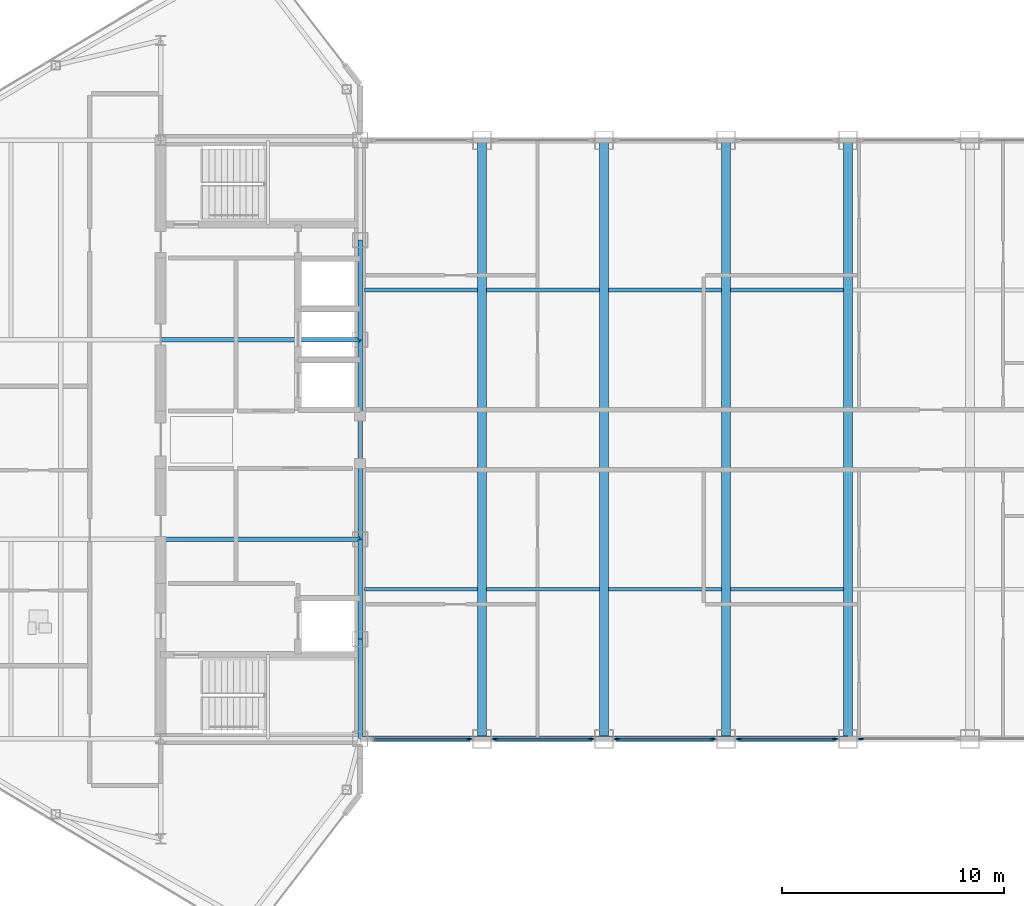
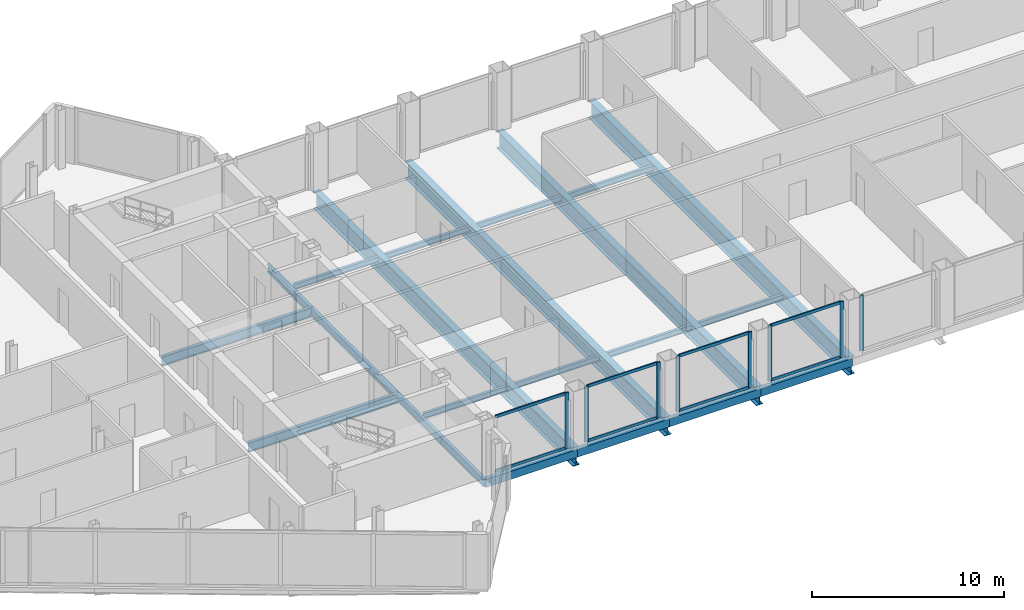
# One storey, part 10 of 29: 22 beams, 16 members, 5 elements without a shape of their own.
"""IFC4 building model written with IfcOpenShell, lengths in metres."""

from ifc_helpers import new_model, si_unit, direction, frame, origin, origin_2d, place, context, subcontext, project, spatial, rectangle, hollow_rectangle, i_section, extrude, source, transform, mapped, material, layer, layer_set, material_profile, profile_set, type_object, type_shapes, element, aggregate, save


model = new_model("IFC4")

# Units and contexts
model_context = context("Model", 3, precision=1e-05, world=origin(), true_north=direction((0.0, 1.0)))
body_context = subcontext(model_context, "Body", "Model", "MODEL_VIEW")
ifc_project = project(units=[si_unit("LENGTHUNIT", "METRE"), si_unit("AREAUNIT", "SQUARE_METRE"), si_unit("VOLUMEUNIT", "CUBIC_METRE"), si_unit("PLANEANGLEUNIT", "RADIAN"), si_unit("MASSUNIT", "GRAM", prefix="KILO")], contexts=[model_context])

# Site, building, storey
site_placement = place(None, origin())
site = spatial("IfcSite", under=ifc_project, at=site_placement, CompositionType="ELEMENT")
building_placement = place(site_placement, origin())
building = spatial("IfcBuilding", under=site, at=building_placement, Name="Seokmaru Belvedere", CompositionType="ELEMENT")
storey_placement = place(building_placement, frame((0.0, 0.0, 246.89990234375)))
storey = spatial("IfcBuildingStorey", under=building, at=storey_placement, Name="L65", CompositionType="ELEMENT", Elevation=246.89990234375)

# Beams
ifc_material_1 = material(Name="Steel SM355 (355 MPa)", Category="steel")
ifc_material_profile_1 = material_profile(ifc_material_1, i_section(OverallWidth=0.199951171875, OverallDepth=0.5, WebThickness=0.010009765625, FlangeThickness=0.01611328125, at=origin_2d()), Name="H-500x200x10x16")
ifc_profile_set_1 = profile_set([ifc_material_profile_1], Name="Steel SM355 (355 MPa)")
beam_type_1 = type_object("IfcBeamType", Name="Perimeter Spandrel Beam H-500", PredefinedType="SPANDREL", material=ifc_profile_set_1)
shared_shape_1 = source(origin(), body_context, "Body", "SweptSolid", [
    extrude(i_section(OverallWidth=0.199951171875, OverallDepth=0.5, WebThickness=0.010009765625, FlangeThickness=0.01611328125, at=origin_2d()), origin(), (0.0, 0.0, 1.0), 4.5),
])
for number, where, z_axis, x_axis, name in (
    (1, (-27.5, -13.5, -0.469970703125), (0.0, 1.0, 0.0), (-1.0, 0.0, 0.0), "L65 W Portal Spine Spandrel 1"),
    (2, (-27.5, -9.0, -0.469970703125), (0.0, 1.0, 0.0), (-1.0, 0.0, 0.0), "L65 W Portal Spine Spandrel 2"),
    (3, (-27.5, 4.5, -0.469970703125), (0.0, 1.0, 0.0), (-1.0, 0.0, 0.0), "L65 W Portal Spine Spandrel 4"),
):
    element("IfcBeam", number, at=place(storey_placement, frame(where, z_axis=z_axis, x_axis=x_axis)), inside=storey, type_object=beam_type_1, Name=name, PredefinedType="SPANDREL", context=body_context, shape_type="MappedRepresentation", body=[
        mapped(shared_shape_1, transform((0.0, 0.0, 0.0), scale=1.0)),
    ])
shared_shape_2 = source(origin(), body_context, "Body", "SweptSolid", [
    extrude(i_section(OverallWidth=0.199951171875, OverallDepth=0.5, WebThickness=0.010009765625, FlangeThickness=0.01611328125, at=origin_2d()), origin(), (0.0, 0.0, 1.0), 9.0),
])
type_shapes(beam_type_1, [shared_shape_1, shared_shape_2])
beam_placement = place(storey_placement, frame((-27.5, -4.5, -0.469970703125), z_axis=(0.0, 1.0, 0.0), x_axis=(-1.0, 0.0, 0.0)))
element("IfcBeam", 4, at=beam_placement, inside=storey, type_object=beam_type_1, Name="L65 W Portal Spine Spandrel 3", PredefinedType="SPANDREL", context=body_context, shape_type="MappedRepresentation", body=[
    mapped(shared_shape_2, transform((0.0, 0.0, 0.0), scale=1.0)),
])
ifc_material_profile_2 = material_profile(ifc_material_1, i_section(OverallWidth=0.199951171875, OverallDepth=0.60009765625, WebThickness=0.010986328125, FlangeThickness=0.01708984375, at=origin_2d()), Name="H-600x200x11x17")
ifc_profile_set_2 = profile_set([ifc_material_profile_2], Name="Steel SM355 (355 MPa)")
beam_type_2 = type_object("IfcBeamType", Name="Primary Floor Girder H-600", PredefinedType="BEAM", material=ifc_profile_set_2)
shared_shape_3 = source(origin(), body_context, "Body", "SweptSolid", [
    extrude(i_section(OverallWidth=0.199951171875, OverallDepth=0.60009765625, WebThickness=0.010986328125, FlangeThickness=0.01708984375, at=origin_2d()), origin(), (0.0, 0.0, 1.0), 9.0),
])
type_shapes(beam_type_2, [shared_shape_3])
for number, where, z_axis, x_axis, name in (
    (5, (-36.5, -4.5, -0.52001953125), (1.0, 0.0, 0.0), (0.0, 1.0, 0.0), "L65 W Core Tie Girder 2"),
    (6, (-36.5, 4.5, -0.52001953125), (1.0, 0.0, 0.0), (0.0, 1.0, 0.0), "L65 W Core Tie Girder 3"),
):
    element("IfcBeam", number, at=place(storey_placement, frame(where, z_axis=z_axis, x_axis=x_axis)), inside=storey, type_object=beam_type_2, Name=name, PredefinedType="BEAM", context=body_context, shape_type="MappedRepresentation", body=[
        mapped(shared_shape_3, transform((0.0, 0.0, 0.0), scale=1.0)),
    ])
ifc_material_profile_3 = material_profile(ifc_material_1, i_section(OverallWidth=0.39990234375, OverallDepth=1.10009765625, WebThickness=0.02001953125, FlangeThickness=0.033935546875, at=origin_2d()), Name="BH-1100x400x20x34")
ifc_profile_set_3 = profile_set([ifc_material_profile_3], Name="Steel SM355 (355 MPa)")
beam_type_3 = type_object("IfcBeamType", Name="Sky-Gate Transverse Girder BH-1100", PredefinedType="BEAM", material=ifc_profile_set_3)
shared_shape_4 = source(origin(), body_context, "Body", "SweptSolid", [
    extrude(i_section(OverallWidth=0.39990234375, OverallDepth=1.10009765625, WebThickness=0.02001953125, FlangeThickness=0.033935546875, at=origin_2d()), origin(), (0.0, 0.0, 1.0), 27.0),
])
type_shapes(beam_type_3, [shared_shape_4])
for number, where, z_axis, x_axis, name in (
    (7, (-22.0, -13.5, -0.77001953125), (0.0, 1.0, 0.0), (-1.0, 0.0, 0.0), "L65 Sky-Gate Transverse Girder 01"),
    (8, (-16.5, -13.5, -0.77001953125), (0.0, 1.0, 0.0), (-1.0, 0.0, 0.0), "L65 Sky-Gate Transverse Girder 02"),
    (9, (-11.0, -13.5, -0.77001953125), (0.0, 1.0, 0.0), (-1.0, 0.0, 0.0), "L65 Sky-Gate Transverse Girder 03"),
    (10, (-5.5, -13.5, -0.77001953125), (0.0, 1.0, 0.0), (-1.0, 0.0, 0.0), "L65 Sky-Gate Transverse Girder 04"),
):
    element("IfcBeam", number, at=place(storey_placement, frame(where, z_axis=z_axis, x_axis=x_axis)), inside=storey, type_object=beam_type_3, Name=name, PredefinedType="BEAM", context=body_context, shape_type="MappedRepresentation", body=[
        mapped(shared_shape_4, transform((0.0, 0.0, 0.0), scale=1.0)),
    ])
ifc_material_profile_4 = material_profile(ifc_material_1, i_section(OverallWidth=0.175048828125, OverallDepth=0.35009765625, WebThickness=0.007080078125, FlangeThickness=0.010986328125, at=origin_2d()), Name="H-350x175x7x11")
ifc_profile_set_4 = profile_set([ifc_material_profile_4], Name="Steel SM355 (355 MPa)")
beam_type_4 = type_object("IfcBeamType", Name="Secondary Floor Joist H-300", PredefinedType="JOIST", material=ifc_profile_set_4)
shared_shape_5 = source(origin(), body_context, "Body", "SweptSolid", [
    extrude(i_section(OverallWidth=0.175048828125, OverallDepth=0.35009765625, WebThickness=0.007080078125, FlangeThickness=0.010986328125, at=origin_2d()), origin(), (0.0, 0.0, 1.0), 5.08984375),
])
type_shapes(beam_type_4, [shared_shape_5])
for number, where, z_axis, x_axis, name in (
    (11, (-27.294921875, -6.75, -0.39501953125), (1.0, 0.0, 0.0), (0.0, 1.0, 0.0), "L65 Sky-Gate Secondary Joist S-01"),
    (12, (-21.794921875, -6.75, -0.39501953125), (1.0, 0.0, 0.0), (0.0, 1.0, 0.0), "L65 Sky-Gate Secondary Joist S-02"),
    (13, (-16.294921875, -6.75, -0.39501953125), (1.0, 0.0, 0.0), (0.0, 1.0, 0.0), "L65 Sky-Gate Secondary Joist S-03"),
    (14, (-10.794921875, -6.75, -0.39501953125), (1.0, 0.0, 0.0), (0.0, 1.0, 0.0), "L65 Sky-Gate Secondary Joist S-04"),
    (15, (-27.294921875, 6.75, -0.39501953125), (1.0, 0.0, 0.0), (0.0, 1.0, 0.0), "L65 Sky-Gate Secondary Joist N-01"),
    (16, (-21.794921875, 6.75, -0.39501953125), (1.0, 0.0, 0.0), (0.0, 1.0, 0.0), "L65 Sky-Gate Secondary Joist N-02"),
    (17, (-16.294921875, 6.75, -0.39501953125), (1.0, 0.0, 0.0), (0.0, 1.0, 0.0), "L65 Sky-Gate Secondary Joist N-03"),
    (18, (-10.794921875, 6.75, -0.39501953125), (1.0, 0.0, 0.0), (0.0, 1.0, 0.0), "L65 Sky-Gate Secondary Joist N-04"),
):
    element("IfcBeam", number, at=place(storey_placement, frame(where, z_axis=z_axis, x_axis=x_axis)), inside=storey, type_object=beam_type_4, Name=name, PredefinedType="JOIST", context=body_context, shape_type="MappedRepresentation", body=[
        mapped(shared_shape_5, transform((0.0, 0.0, 0.0), scale=1.0)),
    ])
ifc_material_profile_5 = material_profile(ifc_material_1, hollow_rectangle(XDim=0.25, YDim=0.5, WallThickness=0.013916015625, at=origin_2d()), Name="RHS-500x250x14")
ifc_profile_set_5 = profile_set([ifc_material_profile_5], Name="Steel SM355 (355 MPa)")
beam_type_5 = type_object("IfcBeamType", Name="Bridge Edge Spandrel RHS-500", PredefinedType="SPANDREL", material=ifc_profile_set_5)
shared_shape_6 = source(origin(), body_context, "Body", "SweptSolid", [
    extrude(hollow_rectangle(XDim=0.25, YDim=0.5, WallThickness=0.013916015625, at=origin_2d()), origin(), (0.0, 0.0, 1.0), 5.5),
])
type_shapes(beam_type_5, [shared_shape_6])
for number, where, z_axis, x_axis, name in (
    (19, (-27.5, -13.5, -0.469970703125), (1.0, 0.0, 0.0), (0.0, 1.0, 0.0), "L65 Sky-Gate Bridge Edge Girder S-01"),
    (20, (-22.0, -13.5, -0.469970703125), (1.0, 0.0, 0.0), (0.0, 1.0, 0.0), "L65 Sky-Gate Bridge Edge Girder S-02"),
    (21, (-16.5, -13.5, -0.469970703125), (1.0, 0.0, 0.0), (0.0, 1.0, 0.0), "L65 Sky-Gate Bridge Edge Girder S-03"),
    (22, (-11.0, -13.5, -0.469970703125), (1.0, 0.0, 0.0), (0.0, 1.0, 0.0), "L65 Sky-Gate Bridge Edge Girder S-04"),
):
    element("IfcBeam", number, at=place(storey_placement, frame(where, z_axis=z_axis, x_axis=x_axis)), inside=storey, type_object=beam_type_5, Name=name, PredefinedType="SPANDREL", context=body_context, shape_type="MappedRepresentation", body=[
        mapped(shared_shape_6, transform((0.0, 0.0, 0.0), scale=1.0)),
    ])

# Curtain wall, members
ifc_material_2 = material(Name="Bronze Triple Insulating Glass", Category="glass")
ifc_layer = layer(ifc_material_2, 0.219970703125)
ifc_layer_set = layer_set([ifc_layer], Name="Bronze Triple Insulating Glass")
curtain_wall_type = type_object("IfcCurtainWallType", Name="Sky-Gate Bridge Panorama Curtain Wall System CW-6", PredefinedType="NOTDEFINED", material=ifc_layer_set)
curtain_wall_1_placement = place(storey_placement, origin())
curtain_wall_1 = element("IfcCurtainWall", 23, at=curtain_wall_1_placement, inside=storey, type_object=curtain_wall_type, Name="L65 Curtain Wall BR_S01", PredefinedType="NOTDEFINED")
ifc_material_3 = material(Name="Anodised Bronze Aluminium", Category="aluminium")
ifc_material_profile_6 = material_profile(ifc_material_3, rectangle(XDim=0.074951171875, YDim=0.179931640625, at=origin_2d()), Name="CW-T-75x180")
ifc_profile_set_6 = profile_set([ifc_material_profile_6], Name="Anodised Bronze Aluminium")
member_type_1 = type_object("IfcMemberType", Name="Bronze Unitised Transom 75x180", PredefinedType="USERDEFINED", material=ifc_profile_set_6)
shared_shape_7 = source(origin(), body_context, "Body", "SweptSolid", [
    extrude(rectangle(XDim=0.074951171875, YDim=0.179931640625, at=origin_2d()), origin(), (0.0, 0.0, 1.0), 4.240234375),
])
type_shapes(member_type_1, [shared_shape_7])
member_1_placement = place(storey_placement, frame((-26.8701171875, -13.5, 0.03759765625), z_axis=(1.0, 0.0, 0.0), x_axis=(0.0, 1.0, 0.0)))
member_1 = element("IfcMember", 24, at=member_1_placement, type_object=member_type_1, Name="CW:L65:BR_S01 Continuous Transom 1", ObjectType="TRANSOM", PredefinedType="USERDEFINED", context=body_context, shape_type="MappedRepresentation", body=[
    mapped(shared_shape_7, transform((0.0, 0.0, 0.0), scale=1.0)),
])
member_2_placement = place(storey_placement, frame((-26.8701171875, -13.5, 3.49267578125), z_axis=(1.0, 0.0, 0.0), x_axis=(0.0, 1.0, 0.0)))
member_2 = element("IfcMember", 25, at=member_2_placement, type_object=member_type_1, Name="CW:L65:BR_S01 Continuous Transom 2", ObjectType="TRANSOM", PredefinedType="USERDEFINED", context=body_context, shape_type="MappedRepresentation", body=[
    mapped(shared_shape_7, transform((0.0, 0.0, 0.0), scale=1.0)),
])

curtain_wall_2_placement = place(storey_placement, origin())
curtain_wall_2 = element("IfcCurtainWall", 26, at=curtain_wall_2_placement, inside=storey, type_object=curtain_wall_type, Name="L65 Curtain Wall BR_S02", PredefinedType="NOTDEFINED")
member_3_placement = place(storey_placement, frame((-21.3701171875, -13.5, 0.03759765625), z_axis=(1.0, 0.0, 0.0), x_axis=(0.0, 1.0, 0.0)))
member_3 = element("IfcMember", 27, at=member_3_placement, type_object=member_type_1, Name="CW:L65:BR_S02 Continuous Transom 1", ObjectType="TRANSOM", PredefinedType="USERDEFINED", context=body_context, shape_type="MappedRepresentation", body=[
    mapped(shared_shape_7, transform((0.0, 0.0, 0.0), scale=1.0)),
])
member_4_placement = place(storey_placement, frame((-21.3701171875, -13.5, 3.49267578125), z_axis=(1.0, 0.0, 0.0), x_axis=(0.0, 1.0, 0.0)))
member_4 = element("IfcMember", 28, at=member_4_placement, type_object=member_type_1, Name="CW:L65:BR_S02 Continuous Transom 2", ObjectType="TRANSOM", PredefinedType="USERDEFINED", context=body_context, shape_type="MappedRepresentation", body=[
    mapped(shared_shape_7, transform((0.0, 0.0, 0.0), scale=1.0)),
])

curtain_wall_3_placement = place(storey_placement, origin())
curtain_wall_3 = element("IfcCurtainWall", 29, at=curtain_wall_3_placement, inside=storey, type_object=curtain_wall_type, Name="L65 Curtain Wall BR_S03", PredefinedType="NOTDEFINED")
member_5_placement = place(storey_placement, frame((-15.8701171875, -13.5, 0.03759765625), z_axis=(1.0, 0.0, 0.0), x_axis=(0.0, 1.0, 0.0)))
member_5 = element("IfcMember", 30, at=member_5_placement, type_object=member_type_1, Name="CW:L65:BR_S03 Continuous Transom 1", ObjectType="TRANSOM", PredefinedType="USERDEFINED", context=body_context, shape_type="MappedRepresentation", body=[
    mapped(shared_shape_7, transform((0.0, 0.0, 0.0), scale=1.0)),
])
member_6_placement = place(storey_placement, frame((-15.8701171875, -13.5, 3.49267578125), z_axis=(1.0, 0.0, 0.0), x_axis=(0.0, 1.0, 0.0)))
member_6 = element("IfcMember", 31, at=member_6_placement, type_object=member_type_1, Name="CW:L65:BR_S03 Continuous Transom 2", ObjectType="TRANSOM", PredefinedType="USERDEFINED", context=body_context, shape_type="MappedRepresentation", body=[
    mapped(shared_shape_7, transform((0.0, 0.0, 0.0), scale=1.0)),
])

curtain_wall_4_placement = place(storey_placement, origin())
curtain_wall_4 = element("IfcCurtainWall", 32, at=curtain_wall_4_placement, inside=storey, type_object=curtain_wall_type, Name="L65 Curtain Wall BR_S04", PredefinedType="NOTDEFINED")
member_7_placement = place(storey_placement, frame((-10.3701171875, -13.5, 0.03759765625), z_axis=(1.0, 0.0, 0.0), x_axis=(0.0, 1.0, 0.0)))
member_7 = element("IfcMember", 33, at=member_7_placement, type_object=member_type_1, Name="CW:L65:BR_S04 Continuous Transom 1", ObjectType="TRANSOM", PredefinedType="USERDEFINED", context=body_context, shape_type="MappedRepresentation", body=[
    mapped(shared_shape_7, transform((0.0, 0.0, 0.0), scale=1.0)),
])
member_8_placement = place(storey_placement, frame((-10.3701171875, -13.5, 3.49267578125), z_axis=(1.0, 0.0, 0.0), x_axis=(0.0, 1.0, 0.0)))
member_8 = element("IfcMember", 34, at=member_8_placement, type_object=member_type_1, Name="CW:L65:BR_S04 Continuous Transom 2", ObjectType="TRANSOM", PredefinedType="USERDEFINED", context=body_context, shape_type="MappedRepresentation", body=[
    mapped(shared_shape_7, transform((0.0, 0.0, 0.0), scale=1.0)),
])

# Member
ifc_material_profile_7 = material_profile(ifc_material_3, rectangle(XDim=0.080078125, YDim=0.219970703125, at=origin_2d()), Name="CW-M-80x220")
ifc_profile_set_7 = profile_set([ifc_material_profile_7], Name="Anodised Bronze Aluminium")
member_type_2 = type_object("IfcMemberType", Name="Bronze Unitised Mullion 80x220", PredefinedType="MULLION", material=ifc_profile_set_7)
shared_shape_8 = source(origin(), body_context, "Body", "SweptSolid", [
    extrude(rectangle(XDim=0.080078125, YDim=0.219970703125, at=origin_2d()), origin(), (0.0, 0.0, 1.0), 3.530029296875),
])
type_shapes(member_type_2, [shared_shape_8])
member_9_placement = place(storey_placement, frame((-22.590087890625, -13.5, 0.0), z_axis=(0.0, 0.0, 1.0), x_axis=(0.0, 1.0, 0.0)))
member_9 = element("IfcMember", 35, at=member_9_placement, type_object=member_type_2, Name="CW:L65:BR_S01 Mullion 2", PredefinedType="MULLION", context=body_context, shape_type="MappedRepresentation", body=[
    mapped(shared_shape_8, transform((0.0, 0.0, 0.0), scale=1.0)),
])

aggregate(curtain_wall_1, [member_9, member_1, member_2])

member_10_placement = place(storey_placement, frame((-21.409912109375, -13.5, 0.0), z_axis=(0.0, 0.0, 1.0), x_axis=(0.0, 1.0, 0.0)))
member_10 = element("IfcMember", 36, at=member_10_placement, type_object=member_type_2, Name="CW:L65:BR_S02 Mullion 1", PredefinedType="MULLION", context=body_context, shape_type="MappedRepresentation", body=[
    mapped(shared_shape_8, transform((0.0, 0.0, 0.0), scale=1.0)),
])

member_11_placement = place(storey_placement, frame((-17.090087890625, -13.5, 0.0), z_axis=(0.0, 0.0, 1.0), x_axis=(0.0, 1.0, 0.0)))
member_11 = element("IfcMember", 37, at=member_11_placement, type_object=member_type_2, Name="CW:L65:BR_S02 Mullion 2", PredefinedType="MULLION", context=body_context, shape_type="MappedRepresentation", body=[
    mapped(shared_shape_8, transform((0.0, 0.0, 0.0), scale=1.0)),
])

aggregate(curtain_wall_2, [member_10, member_11, member_3, member_4])

member_12_placement = place(storey_placement, frame((-15.909912109375, -13.5, 0.0), z_axis=(0.0, 0.0, 1.0), x_axis=(0.0, 1.0, 0.0)))
member_12 = element("IfcMember", 38, at=member_12_placement, type_object=member_type_2, Name="CW:L65:BR_S03 Mullion 1", PredefinedType="MULLION", context=body_context, shape_type="MappedRepresentation", body=[
    mapped(shared_shape_8, transform((0.0, 0.0, 0.0), scale=1.0)),
])

member_13_placement = place(storey_placement, frame((-11.590087890625, -13.5, 0.0), z_axis=(0.0, 0.0, 1.0), x_axis=(0.0, 1.0, 0.0)))
member_13 = element("IfcMember", 39, at=member_13_placement, type_object=member_type_2, Name="CW:L65:BR_S03 Mullion 2", PredefinedType="MULLION", context=body_context, shape_type="MappedRepresentation", body=[
    mapped(shared_shape_8, transform((0.0, 0.0, 0.0), scale=1.0)),
])

aggregate(curtain_wall_3, [member_12, member_13, member_5, member_6])

member_14_placement = place(storey_placement, frame((-10.409912109375, -13.5, 0.0), z_axis=(0.0, 0.0, 1.0), x_axis=(0.0, 1.0, 0.0)))
member_14 = element("IfcMember", 40, at=member_14_placement, type_object=member_type_2, Name="CW:L65:BR_S04 Mullion 1", PredefinedType="MULLION", context=body_context, shape_type="MappedRepresentation", body=[
    mapped(shared_shape_8, transform((0.0, 0.0, 0.0), scale=1.0)),
])

member_15_placement = place(storey_placement, frame((-6.090087890625, -13.5, 0.0), z_axis=(0.0, 0.0, 1.0), x_axis=(0.0, 1.0, 0.0)))
member_15 = element("IfcMember", 41, at=member_15_placement, type_object=member_type_2, Name="CW:L65:BR_S04 Mullion 2", PredefinedType="MULLION", context=body_context, shape_type="MappedRepresentation", body=[
    mapped(shared_shape_8, transform((0.0, 0.0, 0.0), scale=1.0)),
])

aggregate(curtain_wall_4, [member_14, member_15, member_7, member_8])

# Curtain wall, member
curtain_wall_5_placement = place(storey_placement, origin())
curtain_wall_5 = element("IfcCurtainWall", 42, at=curtain_wall_5_placement, inside=storey, type_object=curtain_wall_type, Name="L65 Curtain Wall BR_S05", PredefinedType="NOTDEFINED")
member_16_placement = place(storey_placement, frame((-4.909912109375, -13.5, 0.0), z_axis=(0.0, 0.0, 1.0), x_axis=(0.0, 1.0, 0.0)))
member_16 = element("IfcMember", 43, at=member_16_placement, type_object=member_type_2, Name="CW:L65:BR_S05 Mullion 1", PredefinedType="MULLION", context=body_context, shape_type="MappedRepresentation", body=[
    mapped(shared_shape_8, transform((0.0, 0.0, 0.0), scale=1.0)),
])
aggregate(curtain_wall_5, [member_16])

save(model, "model.ifc")
